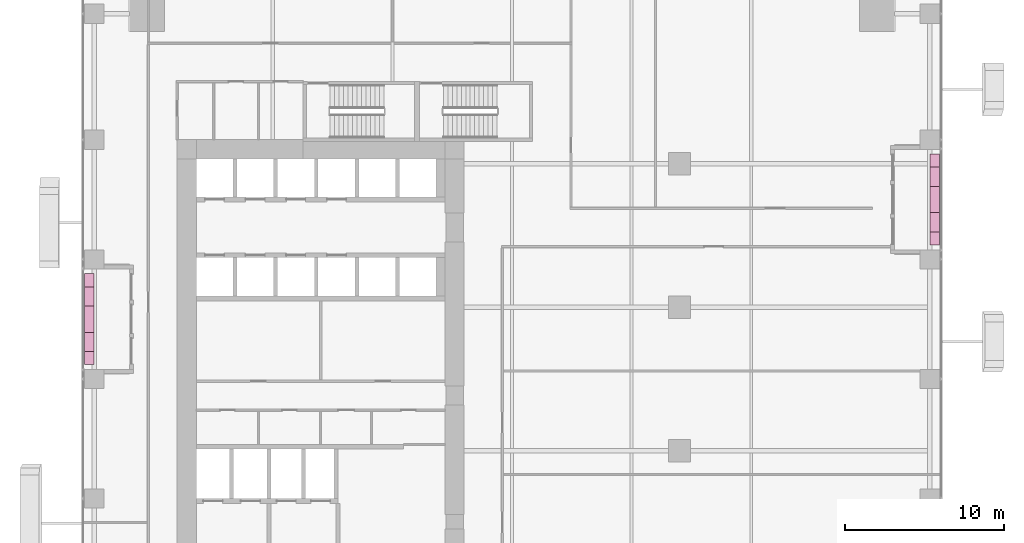
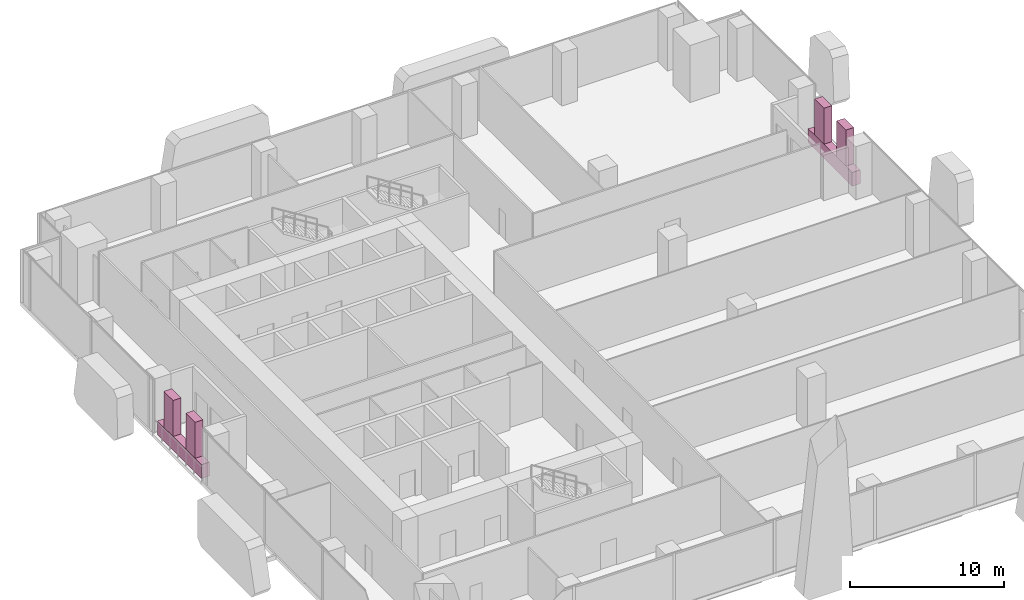
# One storey, part 35 of 35: 6 furnishings.
"""IFC4 building model written with IfcOpenShell, lengths in metres."""

from ifc_helpers import new_model, si_unit, direction, frame, origin, origin_2d, place, context, subcontext, project, spatial, rectangle, extrude, source, transform, mapped, material, type_object, element, save


model = new_model("IFC4")

# Units and contexts
model_context = context("Model", 3, precision=1e-05, world=origin(), true_north=direction((0.0, 1.0)))
body_context = subcontext(model_context, "Body", "Model", "MODEL_VIEW")
ifc_project = project(units=[si_unit("LENGTHUNIT", "METRE"), si_unit("AREAUNIT", "SQUARE_METRE"), si_unit("VOLUMEUNIT", "CUBIC_METRE"), si_unit("PLANEANGLEUNIT", "RADIAN"), si_unit("MASSUNIT", "GRAM", prefix="KILO")], contexts=[model_context])

# Site, building, storey
site_placement = place(None, origin())
site = spatial("IfcSite", under=ifc_project, at=site_placement, CompositionType="ELEMENT")
building_placement = place(site_placement, origin())
building = spatial("IfcBuilding", under=site, at=building_placement, Name="Khomas Fold Tower", CompositionType="ELEMENT")
storey_placement = place(building_placement, frame((0.0, 0.0, 69.0)))
storey = spatial("IfcBuildingStorey", under=building, at=storey_placement, Name="L14", CompositionType="ELEMENT", Elevation=69.0)

# Furnishings
ifc_material_1 = material(Name="Precast concrete C40/50", Category="concrete")
furnishing_element_type_1 = type_object("IfcFurnishingElementType", Name="BL-Structural planter box", material=ifc_material_1)
shared_shape_1 = source(origin(), body_context, "Body", "SweptSolid", [
    extrude(rectangle(XDim=5.699951171875, YDim=0.60009765625, at=origin_2d()), origin(), (0.0, 0.0, 1.0), 1.10009765625),
])
for number, where, z_axis, x_axis, name in (
    (1, (53.5, 38.25, -0.045166015625), (0.0, 0.0, 1.0), (0.0, 1.0, 0.0), "PLANTER BAL-L14-E4"),
    (2, (0.5, 30.75, -0.045166015625), (0.0, 0.0, 1.0), (0.0, 1.0, 0.0), "PLANTER BAL-L14-W3"),
):
    element("IfcFurnishingElement", number, at=place(storey_placement, frame(where, z_axis=z_axis, x_axis=x_axis)), inside=storey, type_object=furnishing_element_type_1, Name=name, context=body_context, shape_type="MappedRepresentation", body=[
        mapped(shared_shape_1, transform((0.0, 0.0, 0.0))),
    ])
ifc_material_2 = material(Name="Planting")
furnishing_element_type_2 = type_object("IfcFurnishingElementType", Name="BL-Tree Wild olive", material=ifc_material_2)
shared_shape_2 = source(origin(), body_context, "Body", "SweptSolid", [
    extrude(rectangle(XDim=1.199951171875, YDim=0.60009765625, at=origin_2d()), origin(), (0.0, 0.0, 1.0), 2.844970703125),
])
furnishing_1_placement = place(storey_placement, frame((53.5, 36.824951171875, 1.05517578125), z_axis=(0.0, 0.0, 1.0), x_axis=(0.0, 1.0, 0.0)))
element("IfcFurnishingElement", 3, at=furnishing_1_placement, inside=storey, type_object=furnishing_element_type_2, Name="PLANTER (TREE) Wild olive BAL-L14-E4-1", context=body_context, shape_type="MappedRepresentation", body=[
    mapped(shared_shape_2, transform((0.0, 0.0, 0.0))),
])
ifc_material_3 = material(Name="Planting")
furnishing_element_type_3 = type_object("IfcFurnishingElementType", Name="BL-Tree Shepherd's tree", material=ifc_material_3)
furnishing_2_placement = place(storey_placement, frame((53.5, 39.675048828125, 1.05517578125), z_axis=(0.0, 0.0, 1.0), x_axis=(0.0, 1.0, 0.0)))
element("IfcFurnishingElement", 4, at=furnishing_2_placement, inside=storey, type_object=furnishing_element_type_3, Name="PLANTER (TREE) Shepherd's tree BAL-L14-E4-2", context=body_context, shape_type="MappedRepresentation", body=[
    mapped(shared_shape_2, transform((0.0, 0.0, 0.0))),
])
furnishing_3_placement = place(storey_placement, frame((0.5, 29.324951171875, 1.05517578125), z_axis=(0.0, 0.0, 1.0), x_axis=(0.0, 1.0, 0.0)))
element("IfcFurnishingElement", 5, at=furnishing_3_placement, inside=storey, type_object=furnishing_element_type_2, Name="PLANTER (TREE) Wild olive BAL-L14-W3-1", context=body_context, shape_type="MappedRepresentation", body=[
    mapped(shared_shape_2, transform((0.0, 0.0, 0.0))),
])
furnishing_4_placement = place(storey_placement, frame((0.5, 32.175048828125, 1.05517578125), z_axis=(0.0, 0.0, 1.0), x_axis=(0.0, 1.0, 0.0)))
element("IfcFurnishingElement", 6, at=furnishing_4_placement, inside=storey, type_object=furnishing_element_type_3, Name="PLANTER (TREE) Shepherd's tree BAL-L14-W3-2", context=body_context, shape_type="MappedRepresentation", body=[
    mapped(shared_shape_2, transform((0.0, 0.0, 0.0))),
])

save(model, "model.ifc")
